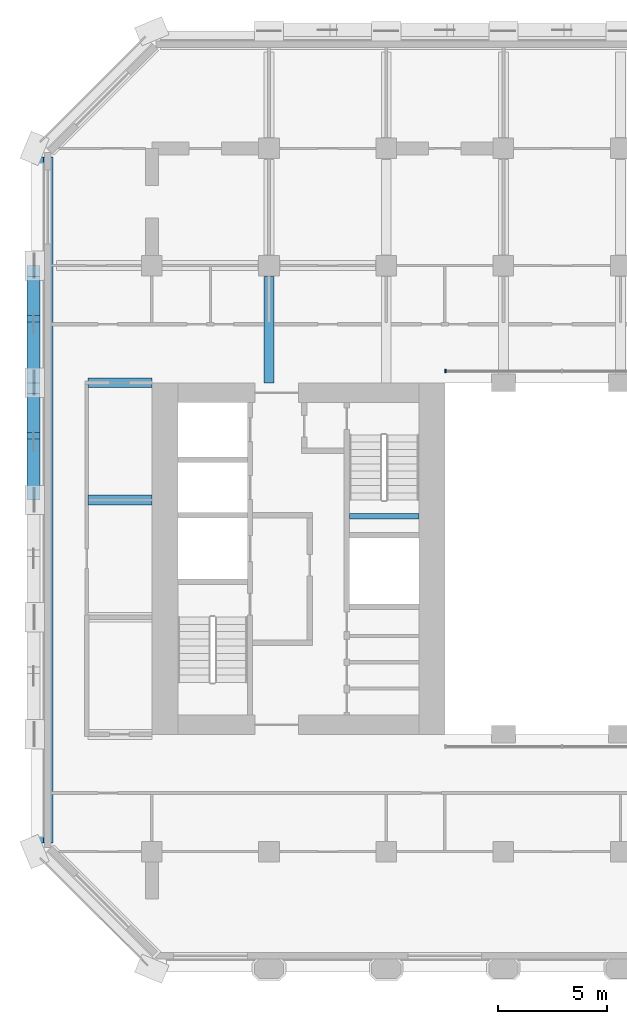
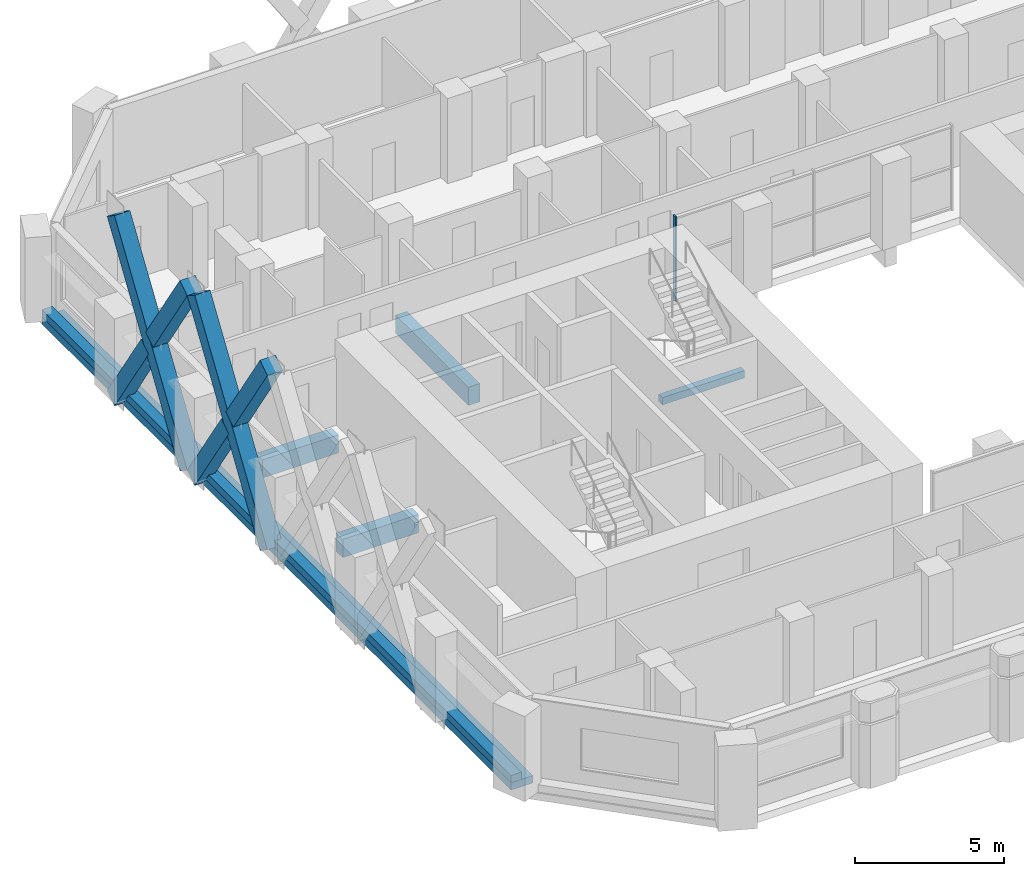
# One storey, part 3 of 14: 7 members, 6 beams, 1 element without a shape of its own.
"""IFC4 building model written with IfcOpenShell, lengths in metres."""

from ifc_helpers import new_model, si_unit, direction, frame, origin, origin_2d, place, context, subcontext, project, spatial, rectangle, extrude, material, material_profile, profile_set, type_object, element, aggregate, save


model = new_model("IFC4")

# Units and contexts
model_context = context("Model", 3, precision=1e-05, world=origin(), true_north=direction((0.0, 1.0)))
body_context = subcontext(model_context, "Body", "Model", "MODEL_VIEW")
ifc_project = project(units=[si_unit("LENGTHUNIT", "METRE"), si_unit("AREAUNIT", "SQUARE_METRE"), si_unit("VOLUMEUNIT", "CUBIC_METRE"), si_unit("PLANEANGLEUNIT", "RADIAN"), si_unit("MASSUNIT", "GRAM", prefix="KILO")], contexts=[model_context])

# Site, building, storey
site_placement = place(None, origin())
site = spatial("IfcSite", under=ifc_project, at=site_placement, CompositionType="ELEMENT")
building_placement = place(site_placement, origin())
building = spatial("IfcBuilding", under=site, at=building_placement, Name="Tabaq Tower and Sports Hall", CompositionType="ELEMENT")
storey_placement = place(building_placement, frame((0.0, 0.0, 95.39990234375)))
storey = spatial("IfcBuildingStorey", under=building, at=storey_placement, Name="L22", CompositionType="ELEMENT", Elevation=95.39990234375)

# Curtain wall, member
ifc_material_1 = material(Name="Aluminium alloy 6063-T6 framed glazing", Category="aluminium")
curtain_wall_type = type_object("IfcCurtainWallType", Name="CW1 curtain wall", PredefinedType="USERDEFINED", material=ifc_material_1)
curtain_wall_placement = place(storey_placement, origin())
curtain_wall = element("IfcCurtainWall", 1, at=curtain_wall_placement, inside=storey, type_object=curtain_wall_type, Name="Atrium glazing L22 N", ObjectType="ATRIUM ENCLOSURE", PredefinedType="USERDEFINED")
ifc_material_2 = material(Name="Aluminium alloy 6063-T6", Category="aluminium")
ifc_material_profile_1 = material_profile(ifc_material_2, rectangle(XDim=0.159912109375, YDim=0.06005859375, at=origin_2d()), Name="MULLION 160x60")
ifc_profile_set_1 = profile_set([ifc_material_profile_1], Name="Aluminium alloy 6063-T6")
member_type_1 = type_object("IfcMemberType", Name="CW1 mullion 160x60", PredefinedType="MULLION", material=ifc_profile_set_1)
member_1_placement = place(storey_placement, frame((18.929931640625, 32.949951171875, 0.0), z_axis=(0.0, 0.0, 1.0), x_axis=(0.0, 1.0, 0.0)))
member_1 = element("IfcMember", 2, at=member_1_placement, type_object=member_type_1, Name="CW1 mullion 1", PredefinedType="MULLION", context=body_context, shape_type="SweptSolid", body=[
    extrude(rectangle(XDim=0.159912109375, YDim=0.06005859375, at=origin_2d()), origin(), (0.0, 0.0, 1.0), 3.5),
])
aggregate(curtain_wall, [member_1])

# Beams
ifc_material_3 = material(Name="Concrete C40/50", Category="concrete")
ifc_material_profile_2 = material_profile(ifc_material_3, rectangle(XDim=0.449951171875, YDim=0.75, at=origin_2d()), Name="CB 450x750")
ifc_profile_set_2 = profile_set([ifc_material_profile_2], Name="Concrete C40/50")
beam_type_1 = type_object("IfcBeamType", Name="PT CANTILEVER BEAM CB 450x750 C40/50", PredefinedType="BEAM", material=ifc_profile_set_2)
for number, where, z_axis, x_axis, name in (
    (3, (2.449951171875, 27.0, -0.6748046875), (1.0, 0.0, 0.0), (0.0, 1.0, 0.0), "Cantilever Beam L22 W5 span 1"),
    (4, (2.449951171875, 32.39990234375, -0.6748046875), (1.0, 0.0, 0.0), (0.0, 1.0, 0.0), "Cantilever Beam L22 W6 span 1"),
):
    element("IfcBeam", number, at=place(storey_placement, frame(where, z_axis=z_axis, x_axis=x_axis)), inside=storey, type_object=beam_type_1, Name=name, PredefinedType="BEAM", context=body_context, shape_type="SweptSolid", body=[
        extrude(rectangle(XDim=0.449951171875, YDim=0.75, at=origin_2d()), origin(), (0.0, 0.0, 1.0), 2.949951171875),
    ])
beam_1_placement = place(storey_placement, frame((10.800048828125, 37.300048828125, -0.6748046875), z_axis=(0.0, -1.0, 0.0), x_axis=(1.0, 0.0, 0.0)))
element("IfcBeam", 5, at=beam_1_placement, inside=storey, type_object=beam_type_1, Name="Cantilever Beam L22 N2 span 3", PredefinedType="BEAM", context=body_context, shape_type="SweptSolid", body=[
    extrude(rectangle(XDim=0.449951171875, YDim=0.75, at=origin_2d()), origin(), (0.0, 0.0, 1.0), 4.900146484375),
])
ifc_material_4 = material(Name="Concrete C40/50", Category="concrete")
ifc_material_profile_3 = material_profile(ifc_material_4, rectangle(XDim=0.85009765625, YDim=0.300048828125, at=origin_2d()), Name="EB 850x300")
ifc_profile_set_3 = profile_set([ifc_material_profile_3], Name="Concrete C40/50")
beam_type_2 = type_object("IfcBeamType", Name="PT EDGE BEAM EB 850x300 C40/50", PredefinedType="SPANDREL", material=ifc_profile_set_3)
beam_2_placement = place(storey_placement, frame((0.425048828125, 42.7978515625, -0.14990234375), z_axis=(0.0, -1.0, 0.0), x_axis=(1.0, 0.0, 0.0)))
element("IfcBeam", 6, at=beam_2_placement, inside=storey, type_object=beam_type_2, Name="Edge Beam L22 3", PredefinedType="SPANDREL", context=body_context, shape_type="SweptSolid", body=[
    extrude(rectangle(XDim=0.85009765625, YDim=0.300048828125, at=origin_2d()), origin(), (0.0, 0.0, 1.0), 31.595703125),
])
ifc_material_5 = material(Name="Concrete C40/50", Category="concrete")
ifc_material_profile_4 = material_profile(ifc_material_5, rectangle(XDim=0.39990234375, YDim=0.300048828125, at=origin_2d()), Name="EU 400x300")
ifc_profile_set_4 = profile_set([ifc_material_profile_4], Name="Concrete C40/50")
beam_type_3 = type_object("IfcBeamType", Name="PT EDGE UPSTAND EU 400x300 C40/50", PredefinedType="BEAM", material=ifc_profile_set_4)
beam_3_placement = place(storey_placement, frame((0.199951171875, 42.7978515625, 0.150146484375), z_axis=(0.0, -1.0, 0.0), x_axis=(1.0, 0.0, 0.0)))
element("IfcBeam", 7, at=beam_3_placement, inside=storey, type_object=beam_type_3, Name="Edge Upstand L22 3", PredefinedType="BEAM", context=body_context, shape_type="SweptSolid", body=[
    extrude(rectangle(XDim=0.39990234375, YDim=0.300048828125, at=origin_2d()), origin(), (0.0, 0.0, 1.0), 31.595703125),
])

# Members
ifc_material_6 = material(Name="Concrete C60/75", Category="concrete")
ifc_material_profile_5 = material_profile(ifc_material_6, rectangle(XDim=0.60009765625, YDim=0.60009765625, at=origin_2d()), Name="TRANSFER BAND BRACE 600x600")
ifc_profile_set_5 = profile_set([ifc_material_profile_5], Name="Concrete C60/75")
member_type_2 = type_object("IfcMemberType", Name="RC TRANSFER BAND BRACE 600x600 C60/75", PredefinedType="BRACE", material=ifc_profile_set_5)
member_2_placement = place(storey_placement, frame((-0.050048828125, 27.25, -0.0498046875), z_axis=(0.0, 0.546940944285, 0.837171191253), x_axis=(-1.0, 0.0, 0.0)))
element("IfcMember", 8, at=member_2_placement, inside=storey, type_object=member_type_2, Name="Transfer Band Brace L22 West 19", PredefinedType="BRACE", context=body_context, shape_type="SweptSolid", body=[
    extrude(rectangle(XDim=0.60009765625, YDim=0.60009765625, at=origin_2d()), origin(), (0.0, 0.0, 1.0), 8.958740234375),
])
member_3_placement = place(storey_placement, frame((-0.050048828125, 32.14990234375, -0.0498046875), z_axis=(0.0, -0.546939353543, 0.837172230516), x_axis=(1.0, 0.0, 0.0)))
element("IfcMember", 9, at=member_3_placement, inside=storey, type_object=member_type_2, Name="Transfer Band Brace L22 West 20", PredefinedType="BRACE", context=body_context, shape_type="SweptSolid", body=[
    extrude(rectangle(XDim=0.60009765625, YDim=0.60009765625, at=origin_2d()), origin(), (0.0, 0.0, 1.0), 4.20166015625),
])
member_4_placement = place(storey_placement, frame((-0.050048828125, 29.548095703125, 3.932373046875), z_axis=(0.0, -0.546912749448, 0.837189610836), x_axis=(1.0, 0.0, 0.0)))
element("IfcMember", 10, at=member_4_placement, inside=storey, type_object=member_type_2, Name="Transfer Band Brace L22 West 21", PredefinedType="BRACE", context=body_context, shape_type="SweptSolid", body=[
    extrude(rectangle(XDim=0.60009765625, YDim=0.60009765625, at=origin_2d()), origin(), (0.0, 0.0, 1.0), 4.201904296875),
])
member_5_placement = place(storey_placement, frame((-0.050048828125, 32.64990234375, -0.0498046875), z_axis=(0.0, 0.546960043342, 0.837158713141), x_axis=(-1.0, 0.0, 0.0)))
element("IfcMember", 11, at=member_5_placement, inside=storey, type_object=member_type_2, Name="Transfer Band Brace L22 West 22", PredefinedType="BRACE", context=body_context, shape_type="SweptSolid", body=[
    extrude(rectangle(XDim=0.60009765625, YDim=0.60009765625, at=origin_2d()), origin(), (0.0, 0.0, 1.0), 8.958984375),
])
member_6_placement = place(storey_placement, frame((-0.050048828125, 37.550048828125, -0.0498046875), z_axis=(0.0, -0.546980074693, 0.837145625258), x_axis=(1.0, 0.0, 0.0)))
element("IfcMember", 12, at=member_6_placement, inside=storey, type_object=member_type_2, Name="Transfer Band Brace L22 West 23", PredefinedType="BRACE", context=body_context, shape_type="SweptSolid", body=[
    extrude(rectangle(XDim=0.60009765625, YDim=0.60009765625, at=origin_2d()), origin(), (0.0, 0.0, 1.0), 4.201904296875),
])
member_7_placement = place(storey_placement, frame((-0.050048828125, 34.9482421875, 3.932373046875), z_axis=(0.0, -0.546953470309, 0.837163007614), x_axis=(1.0, 0.0, 0.0)))
element("IfcMember", 13, at=member_7_placement, inside=storey, type_object=member_type_2, Name="Transfer Band Brace L22 West 24", PredefinedType="BRACE", context=body_context, shape_type="SweptSolid", body=[
    extrude(rectangle(XDim=0.60009765625, YDim=0.60009765625, at=origin_2d()), origin(), (0.0, 0.0, 1.0), 4.2021484375),
])

# Beam
ifc_material_7 = material(Name="Concrete C40/50", Category="concrete")
ifc_material_profile_6 = material_profile(ifc_material_7, rectangle(XDim=0.25, YDim=0.300048828125, at=origin_2d()), Name="RC 250x300")
ifc_profile_set_6 = profile_set([ifc_material_profile_6], Name="Concrete C40/50")
beam_type_4 = type_object("IfcBeamType", Name="Stair landing beam 250x300", PredefinedType="BEAM", material=ifc_profile_set_6)
beam_4_placement = place(storey_placement, frame((14.5, 26.25, 1.550048828125), z_axis=(1.0, 0.0, 0.0), x_axis=(0.0, 1.0, 0.0)))
element("IfcBeam", 14, at=beam_4_placement, inside=storey, type_object=beam_type_4, Name="L22 ST2 landing beam 1", PredefinedType="BEAM", context=body_context, shape_type="SweptSolid", body=[
    extrude(rectangle(XDim=0.25, YDim=0.300048828125, at=origin_2d()), origin(), (0.0, 0.0, 1.0), 3.199951171875),
])

save(model, "model.ifc")
